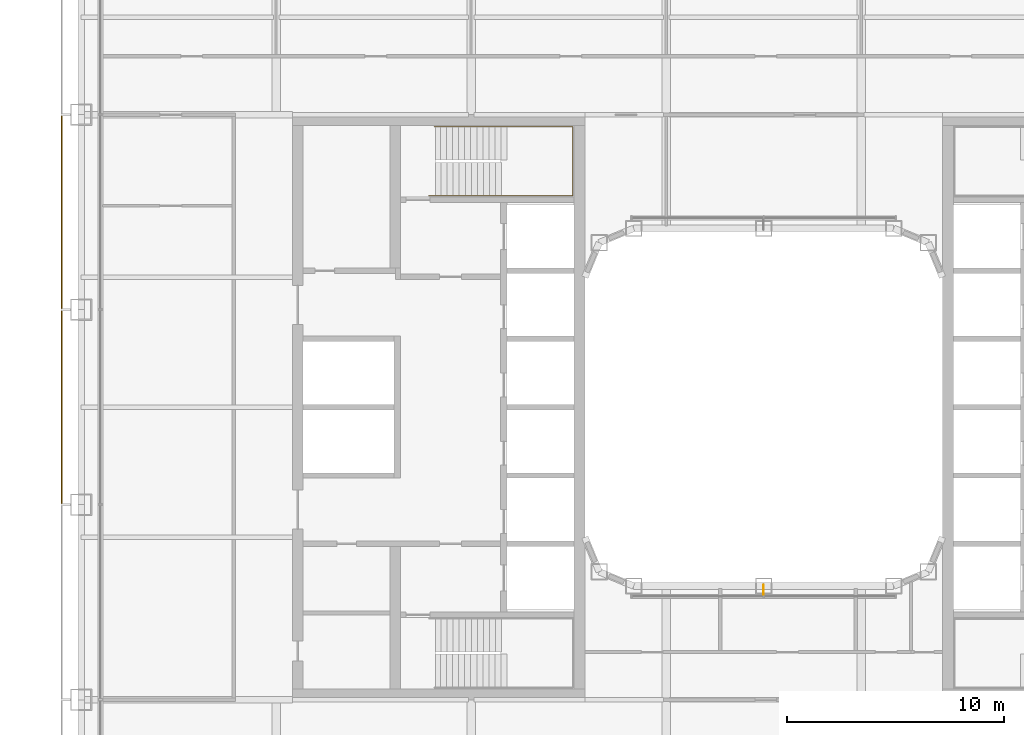
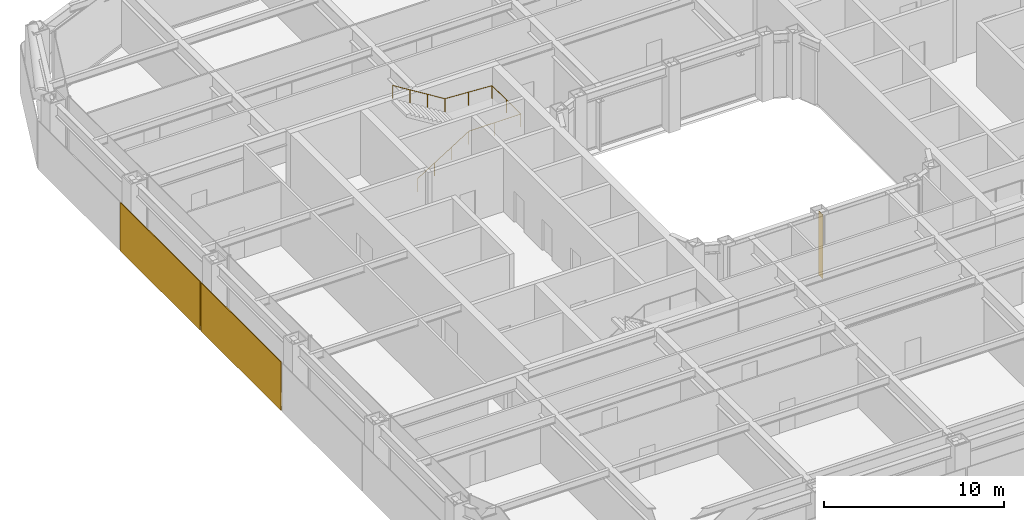
# One storey, part 24 of 27: 2 coverings, 1 railing, 1 shading device.
"""IFC4 building model written with IfcOpenShell, lengths in metres."""

from ifc_helpers import new_model, si_unit, direction, frame, origin, origin_2d, place, context, subcontext, project, spatial, rectangle, circle, extrude, material, layer, layer_set, type_object, element, save


model = new_model("IFC4")

# Units and contexts
model_context = context("Model", 3, precision=1e-05, world=origin(), true_north=direction((0.0, 1.0)))
body_context = subcontext(model_context, "Body", "Model", "MODEL_VIEW")
ifc_project = project(units=[si_unit("LENGTHUNIT", "METRE"), si_unit("AREAUNIT", "SQUARE_METRE"), si_unit("VOLUMEUNIT", "CUBIC_METRE"), si_unit("PLANEANGLEUNIT", "RADIAN"), si_unit("MASSUNIT", "GRAM", prefix="KILO")], contexts=[model_context])

# Site, building, storey
site_placement = place(None, origin())
site = spatial("IfcSite", under=ifc_project, at=site_placement, CompositionType="ELEMENT")
building_placement = place(site_placement, origin())
building = spatial("IfcBuilding", under=site, at=building_placement, Name="Siwar Civic Tower", CompositionType="ELEMENT")
storey_placement = place(building_placement, frame((0.0, 0.0, 71.699951171875)))
storey = spatial("IfcBuildingStorey", under=building, at=storey_placement, Name="L15", CompositionType="ELEMENT", Elevation=71.699951171875)

# Railing
ifc_material_1 = material(Name="Stainless steel", Category="steel")
railing_type = type_object("IfcRailingType", Name="CORE-STAIR-HANDRAIL", PredefinedType="HANDRAIL", material=ifc_material_1)
railing_placement = place(storey_placement, frame((-15.449951171875, 9.758056640625, 0.173095703125)))
element("IfcRailing", 1, at=railing_placement, inside=storey, type_object=railing_type, Name="Stair handrail ST1", PredefinedType="HANDRAIL", context=body_context, shape_type="SweptSolid", body=[
    extrude(circle(Radius=0.02001953125, at=origin_2d()), frame((0.0, 0.0, 0.8798828125), z_axis=(0.847063342986, 0.0, 0.531491950051), x_axis=(0.0, 1.0, 0.0)), (0.0, 0.0, 1.0), 3.90771484375),
    extrude(circle(Radius=0.02001953125, at=origin_2d()), frame((3.31005859375, 0.0, 2.956787109375), z_axis=(1.0, 0.0, 0.0), x_axis=(0.0, 1.0, 0.0)), (0.0, 0.0, 1.0), 3.331787109375),
    extrude(circle(Radius=0.02001953125, at=origin_2d()), frame((6.641845703125, 0.0, 2.956787109375), z_axis=(0.0, 1.0, 0.0), x_axis=(-1.0, 0.0, 0.0)), (0.0, 0.0, 1.0), 3.183837890625),
    extrude(circle(Radius=0.02001953125, at=origin_2d()), frame((6.641845703125, 3.183837890625, 2.956787109375), z_axis=(-0.99837434197, 0.0, 0.056997134106), x_axis=(0.0, -1.0, 0.0)), (0.0, 0.0, 1.0), 3.036865234375),
    extrude(circle(Radius=0.02001953125, at=origin_2d()), frame((3.60986328125, 3.183837890625, 3.1298828125), z_axis=(-0.850606129759, 0.0, 0.525803396734), x_axis=(0.0, -1.0, 0.0)), (0.0, 0.0, 1.0), 3.949951171875),
    extrude(circle(Radius=0.02001953125, at=origin_2d()), origin(), (0.0, 0.0, 1.0), 0.85986328125),
    extrude(circle(Radius=0.02001953125, at=origin_2d()), frame((1.103271484375, 0.0, 0.6923828125)), (0.0, 0.0, 1.0), 0.85986328125),
    extrude(circle(Radius=0.02001953125, at=origin_2d()), frame((2.206787109375, 0.0, 1.384521484375)), (0.0, 0.0, 1.0), 0.85986328125),
    extrude(circle(Radius=0.02001953125, at=origin_2d()), frame((3.31005859375, 0.0, 2.076904296875)), (0.0, 0.0, 1.0), 0.85986328125),
    extrude(circle(Radius=0.02001953125, at=origin_2d()), frame((4.97607421875, 0.0, 2.076904296875)), (0.0, 0.0, 1.0), 0.85986328125),
    extrude(circle(Radius=0.02001953125, at=origin_2d()), frame((6.641845703125, 0.0, 2.076904296875)), (0.0, 0.0, 1.0), 0.85986328125),
    extrude(circle(Radius=0.02001953125, at=origin_2d()), frame((6.641845703125, 1.591796875, 2.076904296875)), (0.0, 0.0, 1.0), 0.85986328125),
    extrude(circle(Radius=0.02001953125, at=origin_2d()), frame((6.641845703125, 3.183837890625, 2.076904296875)), (0.0, 0.0, 1.0), 0.85986328125),
    extrude(circle(Radius=0.02001953125, at=origin_2d()), frame((5.1259765625, 3.183837890625, 2.16357421875)), (0.0, 0.0, 1.0), 0.85986328125),
    extrude(circle(Radius=0.02001953125, at=origin_2d()), frame((3.60986328125, 3.183837890625, 2.25)), (0.0, 0.0, 1.0), 0.85986328125),
    extrude(circle(Radius=0.02001953125, at=origin_2d()), frame((2.489990234375, 3.183837890625, 2.9423828125)), (0.0, 0.0, 1.0), 0.85986328125),
    extrude(circle(Radius=0.02001953125, at=origin_2d()), frame((1.369873046875, 3.183837890625, 3.634521484375)), (0.0, 0.0, 1.0), 0.85986328125),
    extrude(circle(Radius=0.02001953125, at=origin_2d()), frame((0.25, 3.183837890625, 4.326904296875)), (0.0, 0.0, 1.0), 0.85986328125),
])

# Shading device
ifc_material_2 = material(Name="Aluminium 6063-T6", Category="aluminium")
ifc_layer_1 = layer(ifc_material_2, 0.02001953125)
ifc_layer_set_1 = layer_set([ifc_layer_1], Name="Aluminium 6063-T6")
shading_device_type = type_object("IfcShadingDeviceType", Name="ENV-FIN", PredefinedType="JALOUSIE", material=ifc_layer_set_1)
shading_device_placement = place(storey_placement, frame((0.0, -8.419921875, 0.0), z_axis=(0.0, 0.0, 1.0), x_axis=(1.0, 0.0, 0.0)))
element("IfcShadingDevice", 2, at=shading_device_placement, inside=storey, type_object=shading_device_type, Name="SUNSHADE fin WS 1", PredefinedType="JALOUSIE", context=body_context, shape_type="SweptSolid", body=[
    extrude(rectangle(XDim=0.02001953125, YDim=0.449951171875, at=origin_2d()), origin(), (0.0, 0.0, 1.0), 4.35009765625),
])

# Coverings
ifc_material_3 = material(Name="Perforated aluminium cassette, pale metal", Category="aluminium")
ifc_layer_2 = layer(ifc_material_3, 0.050048828125)
ifc_layer_set_2 = layer_set([ifc_layer_2], Name="Perforated aluminium cassette, pale metal")
covering_type = type_object("IfcCoveringType", Name="ENV-OUTER SKIN OS-3", PredefinedType="CLADDING", material=ifc_layer_set_2)
for number, where, z_axis, x_axis, name in (
    (3, (-32.39990234375, 9.0, -0.14990234375), (0.0, 0.0, 1.0), (0.0, -1.0, 0.0), "OUTER SKIN OS-3 W 2"),
    (4, (-32.39990234375, 0.0, -0.14990234375), (0.0, 0.0, 1.0), (0.0, -1.0, 0.0), "OUTER SKIN OS-3 W 3"),
):
    element("IfcCovering", number, at=place(storey_placement, frame(where, z_axis=z_axis, x_axis=x_axis)), inside=storey, type_object=covering_type, Name=name, PredefinedType="CLADDING", context=body_context, shape_type="SweptSolid", body=[
        extrude(rectangle(XDim=8.89990234375, YDim=0.050048828125, at=origin_2d()), origin(), (0.0, 0.0, 1.0), 3.300048828125),
    ])

save(model, "model.ifc")
